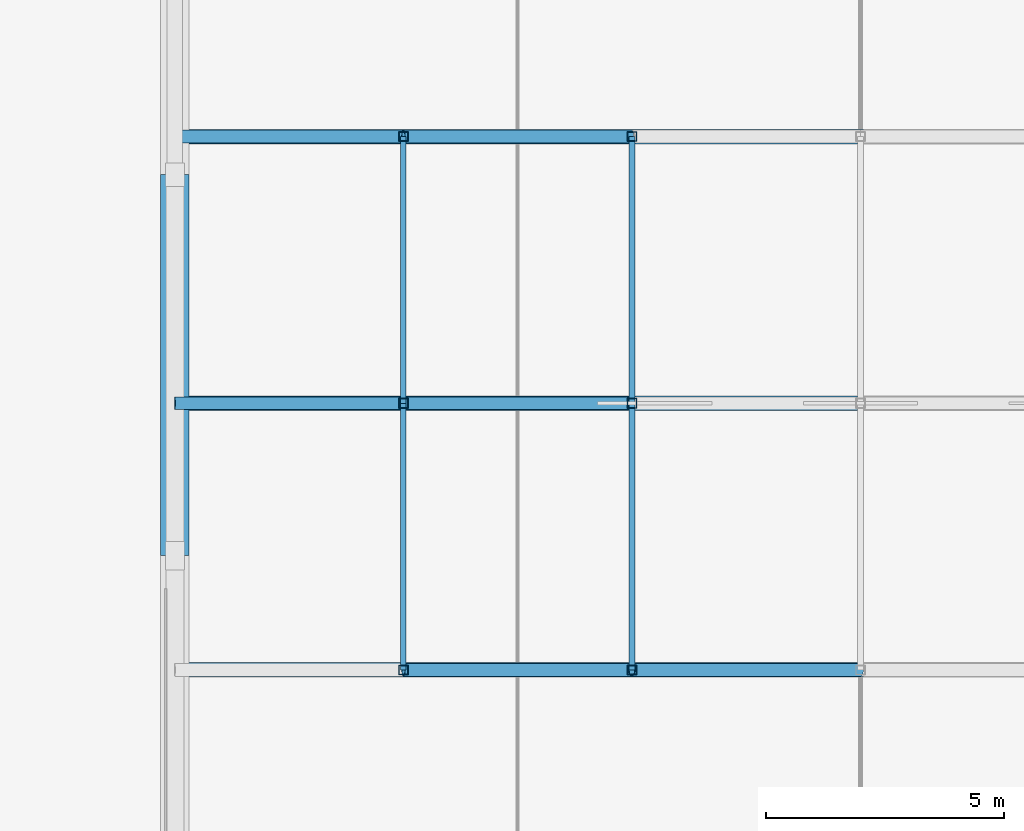
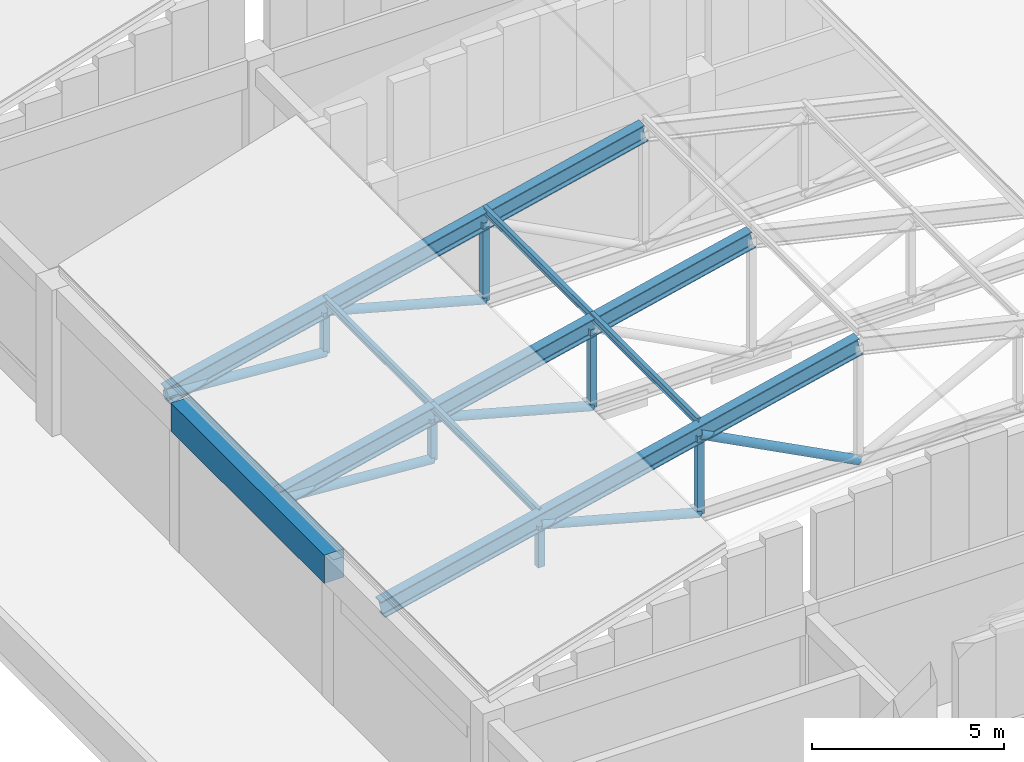
# One storey, part 6 of 61: 19 members, 1 beam.
"""IFC4 building model written with IfcOpenShell, lengths in metres."""

from ifc_helpers import new_model, si_unit, direction, frame, origin, origin_2d, place, context, subcontext, project, spatial, rectangle, hollow_rectangle, hollow_circle, i_section, extrude, material, material_profile, profile_set, type_object, element, save


model = new_model("IFC4")

# Units and contexts
model_context = context("Model", 3, precision=1e-05, world=origin(), true_north=direction((0.0, 1.0)))
body_context = subcontext(model_context, "Body", "Model", "MODEL_VIEW")
ifc_project = project(units=[si_unit("LENGTHUNIT", "METRE"), si_unit("AREAUNIT", "SQUARE_METRE"), si_unit("VOLUMEUNIT", "CUBIC_METRE"), si_unit("PLANEANGLEUNIT", "RADIAN"), si_unit("MASSUNIT", "GRAM", prefix="KILO")], contexts=[model_context])

# Site, building, storey
site_placement = place(None, origin())
site = spatial("IfcSite", under=ifc_project, at=site_placement, CompositionType="ELEMENT")
building_placement = place(site_placement, origin())
building = spatial("IfcBuilding", under=site, at=building_placement, Name="Vellmiral Cinema and Media Centre", CompositionType="ELEMENT")
storey_placement = place(building_placement, frame((0.0, 0.0, 10.800048828125)))
storey = spatial("IfcBuildingStorey", under=building, at=storey_placement, Name="L02", CompositionType="ELEMENT", Elevation=10.800048828125)

# Members
ifc_material_1 = material(Name="Steel S355", Category="steel")
ifc_material_profile_1 = material_profile(ifc_material_1, i_section(OverallWidth=0.1201171875, OverallDepth=0.239990234375, WebThickness=0.006103515625, FlangeThickness=0.009765625, FilletRadius=0.014892578125, at=origin_2d()), Name="IPE 240")
ifc_profile_set_1 = profile_set([ifc_material_profile_1], Name="Steel S355")
member_type_1 = type_object("IfcMemberType", Name="PRL-IPE240", PredefinedType="PURLIN", material=ifc_profile_set_1)
member_1_placement = place(storey_placement, frame((11.199951171875, 48.800048828125, 5.841796875), z_axis=(0.0, 1.0, 0.0), x_axis=(-1.0, 0.0, 0.0)))
element("IfcMember", 1, at=member_1_placement, inside=storey, type_object=member_type_1, Name="Roof Purlin 2.1.1", PredefinedType="PURLIN", context=body_context, shape_type="SweptSolid", body=[
    extrude(i_section(OverallWidth=0.1201171875, OverallDepth=0.239990234375, WebThickness=0.006103515625, FlangeThickness=0.009765625, FilletRadius=0.014892578125, at=origin_2d()), origin(), (0.0, 0.0, 1.0), 5.599853515625),
])
member_2_placement = place(storey_placement, frame((11.199951171875, 54.39990234375, 5.841796875), z_axis=(0.0, 1.0, 0.0), x_axis=(-1.0, 0.0, 0.0)))
element("IfcMember", 2, at=member_2_placement, inside=storey, type_object=member_type_1, Name="Roof Purlin 2.1.2", PredefinedType="PURLIN", context=body_context, shape_type="SweptSolid", body=[
    extrude(i_section(OverallWidth=0.1201171875, OverallDepth=0.239990234375, WebThickness=0.006103515625, FlangeThickness=0.009765625, FilletRadius=0.014892578125, at=origin_2d()), origin(), (0.0, 0.0, 1.0), 5.60009765625),
])
member_3_placement = place(storey_placement, frame((16.0, 48.800048828125, 7.038330078125), z_axis=(0.0, 1.0, 0.0), x_axis=(-1.0, 0.0, 0.0)))
element("IfcMember", 3, at=member_3_placement, inside=storey, type_object=member_type_1, Name="Roof Purlin 2.2.1", PredefinedType="PURLIN", context=body_context, shape_type="SweptSolid", body=[
    extrude(i_section(OverallWidth=0.1201171875, OverallDepth=0.239990234375, WebThickness=0.006103515625, FlangeThickness=0.009765625, FilletRadius=0.014892578125, at=origin_2d()), origin(), (0.0, 0.0, 1.0), 5.599853515625),
])
member_4_placement = place(storey_placement, frame((16.0, 54.39990234375, 7.038330078125), z_axis=(0.0, 1.0, 0.0), x_axis=(-1.0, 0.0, 0.0)))
element("IfcMember", 4, at=member_4_placement, inside=storey, type_object=member_type_1, Name="Roof Purlin 2.2.2", PredefinedType="PURLIN", context=body_context, shape_type="SweptSolid", body=[
    extrude(i_section(OverallWidth=0.1201171875, OverallDepth=0.239990234375, WebThickness=0.006103515625, FlangeThickness=0.009765625, FilletRadius=0.014892578125, at=origin_2d()), origin(), (0.0, 0.0, 1.0), 5.60009765625),
])

# Beam
ifc_material_2 = material(Name="Concrete C40/50", Category="concrete")
ifc_material_profile_2 = material_profile(ifc_material_2, rectangle(XDim=0.60009765625, YDim=0.89990234375, at=origin_2d()), Name="RC 600x900")
ifc_profile_set_2 = profile_set([ifc_material_profile_2], Name="Concrete C40/50")
beam_type = type_object("IfcBeamType", Name="RING-BM-600x900", PredefinedType="BEAM", material=ifc_profile_set_2)
beam_placement = place(storey_placement, frame((6.39990234375, 51.199951171875, 4.349853515625), z_axis=(0.0, 1.0, 0.0), x_axis=(-1.0, 0.0, 0.0)))
element("IfcBeam", 5, at=beam_placement, inside=storey, type_object=beam_type, Name="Cinema Screen 2 Ring Beam 08", PredefinedType="BEAM", context=body_context, shape_type="SweptSolid", body=[
    extrude(rectangle(XDim=0.60009765625, YDim=0.89990234375, at=origin_2d()), origin(), (0.0, 0.0, 1.0), 8.0),
])

# Members
ifc_material_3 = material(Name="Steel S355", Category="steel")
ifc_material_profile_3 = material_profile(ifc_material_3, hollow_circle(Radius=0.136474609375, WallThickness=0.012451171875, at=origin_2d()), Name="CHS 273.0x12.5")
ifc_profile_set_3 = profile_set([ifc_material_profile_3], Name="Steel S355")
member_type_2 = type_object("IfcMemberType", Name="TBR-CHS273", PredefinedType="BRACE", material=ifc_profile_set_3)
member_5_placement = place(storey_placement, frame((11.199951171875, 48.800048828125, 5.456787109375), z_axis=(0.964876983444, 0.0, -0.262702125648), x_axis=(0.0, 1.0, 0.0)))
element("IfcMember", 6, at=member_5_placement, inside=storey, type_object=member_type_2, Name="Roof Truss TR-02.1 Diagonal 2", PredefinedType="BRACE", context=body_context, shape_type="SweptSolid", body=[
    extrude(hollow_circle(Radius=0.136474609375, WallThickness=0.012451171875, at=origin_2d()), origin(), (0.0, 0.0, 1.0), 4.974853515625),
])
member_6_placement = place(storey_placement, frame((16.0, 48.800048828125, 6.653564453125), z_axis=(0.886638714506, 0.0, -0.46246274438), x_axis=(0.0, 1.0, 0.0)))
element("IfcMember", 7, at=member_6_placement, inside=storey, type_object=member_type_2, Name="Roof Truss TR-02.1 Diagonal 3", PredefinedType="BRACE", context=body_context, shape_type="SweptSolid", body=[
    extrude(hollow_circle(Radius=0.136474609375, WallThickness=0.012451171875, at=origin_2d()), origin(), (0.0, 0.0, 1.0), 5.413818359375),
])
member_7_placement = place(storey_placement, frame((6.39990234375, 54.39990234375, 4.494873046875), z_axis=(0.997427444623, 0.0, -0.071683280568), x_axis=(0.0, 1.0, 0.0)))
element("IfcMember", 8, at=member_7_placement, inside=storey, type_object=member_type_2, Name="Roof Truss TR-02.2 Diagonal 1", PredefinedType="BRACE", context=body_context, shape_type="SweptSolid", body=[
    extrude(hollow_circle(Radius=0.136474609375, WallThickness=0.012451171875, at=origin_2d()), origin(), (0.0, 0.0, 1.0), 4.8125),
])
member_8_placement = place(storey_placement, frame((11.199951171875, 54.39990234375, 5.456787109375), z_axis=(0.964876983444, 0.0, -0.262702125648), x_axis=(0.0, 1.0, 0.0)))
element("IfcMember", 9, at=member_8_placement, inside=storey, type_object=member_type_2, Name="Roof Truss TR-02.2 Diagonal 2", PredefinedType="BRACE", context=body_context, shape_type="SweptSolid", body=[
    extrude(hollow_circle(Radius=0.136474609375, WallThickness=0.012451171875, at=origin_2d()), origin(), (0.0, 0.0, 1.0), 4.974853515625),
])
member_9_placement = place(storey_placement, frame((6.39990234375, 60.0, 4.494873046875), z_axis=(0.997427444623, 0.0, -0.071683280568), x_axis=(0.0, 1.0, 0.0)))
element("IfcMember", 10, at=member_9_placement, inside=storey, type_object=member_type_2, Name="Roof Truss TR-02.3 Diagonal 1", PredefinedType="BRACE", context=body_context, shape_type="SweptSolid", body=[
    extrude(hollow_circle(Radius=0.136474609375, WallThickness=0.012451171875, at=origin_2d()), origin(), (0.0, 0.0, 1.0), 4.8125),
])
member_10_placement = place(storey_placement, frame((11.199951171875, 60.0, 5.456787109375), z_axis=(0.964876983444, 0.0, -0.262702125648), x_axis=(0.0, 1.0, 0.0)))
element("IfcMember", 11, at=member_10_placement, inside=storey, type_object=member_type_2, Name="Roof Truss TR-02.3 Diagonal 2", PredefinedType="BRACE", context=body_context, shape_type="SweptSolid", body=[
    extrude(hollow_circle(Radius=0.136474609375, WallThickness=0.012451171875, at=origin_2d()), origin(), (0.0, 0.0, 1.0), 4.974853515625),
])
ifc_material_4 = material(Name="Steel S355", Category="steel")
ifc_material_profile_4 = material_profile(ifc_material_4, hollow_rectangle(XDim=0.199951171875, YDim=0.199951171875, WallThickness=0.010009765625, at=origin_2d()), Name="SHS 200x200x10.0")
ifc_profile_set_4 = profile_set([ifc_material_profile_4], Name="Steel S355")
member_type_3 = type_object("IfcMemberType", Name="TBR-SHS200", PredefinedType="BRACE", material=ifc_profile_set_4)
member_11_placement = place(storey_placement, frame((11.199951171875, 48.800048828125, 4.14990234375), z_axis=(0.0, 0.0, 1.0), x_axis=(1.0, 0.0, 0.0)))
element("IfcMember", 12, at=member_11_placement, inside=storey, type_object=member_type_3, Name="Roof Truss TR-02.1 Post 1", PredefinedType="BRACE", context=body_context, shape_type="SweptSolid", body=[
    extrude(hollow_rectangle(XDim=0.199951171875, YDim=0.199951171875, WallThickness=0.010009765625, at=origin_2d()), origin(), (0.0, 0.0, 1.0), 1.306884765625),
])
member_12_placement = place(storey_placement, frame((16.0, 48.800048828125, 4.14990234375), z_axis=(0.0, 0.0, 1.0), x_axis=(1.0, 0.0, 0.0)))
element("IfcMember", 13, at=member_12_placement, inside=storey, type_object=member_type_3, Name="Roof Truss TR-02.1 Post 2", PredefinedType="BRACE", context=body_context, shape_type="SweptSolid", body=[
    extrude(hollow_rectangle(XDim=0.199951171875, YDim=0.199951171875, WallThickness=0.010009765625, at=origin_2d()), origin(), (0.0, 0.0, 1.0), 2.503662109375),
])
member_13_placement = place(storey_placement, frame((11.199951171875, 54.39990234375, 4.14990234375), z_axis=(0.0, 0.0, 1.0), x_axis=(1.0, 0.0, 0.0)))
element("IfcMember", 14, at=member_13_placement, inside=storey, type_object=member_type_3, Name="Roof Truss TR-02.2 Post 1", PredefinedType="BRACE", context=body_context, shape_type="SweptSolid", body=[
    extrude(hollow_rectangle(XDim=0.199951171875, YDim=0.199951171875, WallThickness=0.010009765625, at=origin_2d()), origin(), (0.0, 0.0, 1.0), 1.306884765625),
])
member_14_placement = place(storey_placement, frame((16.0, 54.39990234375, 4.14990234375), z_axis=(0.0, 0.0, 1.0), x_axis=(1.0, 0.0, 0.0)))
element("IfcMember", 15, at=member_14_placement, inside=storey, type_object=member_type_3, Name="Roof Truss TR-02.2 Post 2", PredefinedType="BRACE", context=body_context, shape_type="SweptSolid", body=[
    extrude(hollow_rectangle(XDim=0.199951171875, YDim=0.199951171875, WallThickness=0.010009765625, at=origin_2d()), origin(), (0.0, 0.0, 1.0), 2.503662109375),
])
member_15_placement = place(storey_placement, frame((11.199951171875, 60.0, 4.14990234375), z_axis=(0.0, 0.0, 1.0), x_axis=(1.0, 0.0, 0.0)))
element("IfcMember", 16, at=member_15_placement, inside=storey, type_object=member_type_3, Name="Roof Truss TR-02.3 Post 1", PredefinedType="BRACE", context=body_context, shape_type="SweptSolid", body=[
    extrude(hollow_rectangle(XDim=0.199951171875, YDim=0.199951171875, WallThickness=0.010009765625, at=origin_2d()), origin(), (0.0, 0.0, 1.0), 1.306884765625),
])
member_16_placement = place(storey_placement, frame((16.0, 60.0, 4.14990234375), z_axis=(0.0, 0.0, 1.0), x_axis=(1.0, 0.0, 0.0)))
element("IfcMember", 17, at=member_16_placement, inside=storey, type_object=member_type_3, Name="Roof Truss TR-02.3 Post 2", PredefinedType="BRACE", context=body_context, shape_type="SweptSolid", body=[
    extrude(hollow_rectangle(XDim=0.199951171875, YDim=0.199951171875, WallThickness=0.010009765625, at=origin_2d()), origin(), (0.0, 0.0, 1.0), 2.503662109375),
])
ifc_material_5 = material(Name="Steel S355", Category="steel")
ifc_material_profile_5 = material_profile(ifc_material_5, i_section(OverallWidth=0.300048828125, OverallDepth=0.550048828125, WebThickness=0.014892578125, FlangeThickness=0.029052734375, FilletRadius=0.027099609375, at=origin_2d()), Name="HEB 550")
ifc_profile_set_5 = profile_set([ifc_material_profile_5], Name="Steel S355")
member_type_4 = type_object("IfcMemberType", Name="TCH-HEB550", PredefinedType="CHORD", material=ifc_profile_set_5)
for number, where, z_axis, x_axis, name in (
    (18, (6.39990234375, 48.800048828125, 4.494873046875), (0.973909491785, 0.0, 0.226936779328), (0.0, 1.0, 0.0), "Roof Truss TR-02.1 Top Chord W"),
    (19, (6.39990234375, 54.39990234375, 4.494873046875), (0.973909491785, 0.0, 0.226936779328), (0.0, 1.0, 0.0), "Roof Truss TR-02.2 Top Chord W"),
    (20, (6.39990234375, 60.0, 4.494873046875), (0.973909491785, 0.0, 0.226936779328), (0.0, 1.0, 0.0), "Roof Truss TR-02.3 Top Chord W"),
):
    element("IfcMember", number, at=place(storey_placement, frame(where, z_axis=z_axis, x_axis=x_axis)), inside=storey, type_object=member_type_4, Name=name, PredefinedType="CHORD", context=body_context, shape_type="SweptSolid", body=[
        extrude(i_section(OverallWidth=0.300048828125, OverallDepth=0.550048828125, WebThickness=0.014892578125, FlangeThickness=0.029052734375, FilletRadius=0.027099609375, at=origin_2d()), origin(), (0.0, 0.0, 1.0), 14.785888671875),
    ])

save(model, "model.ifc")
